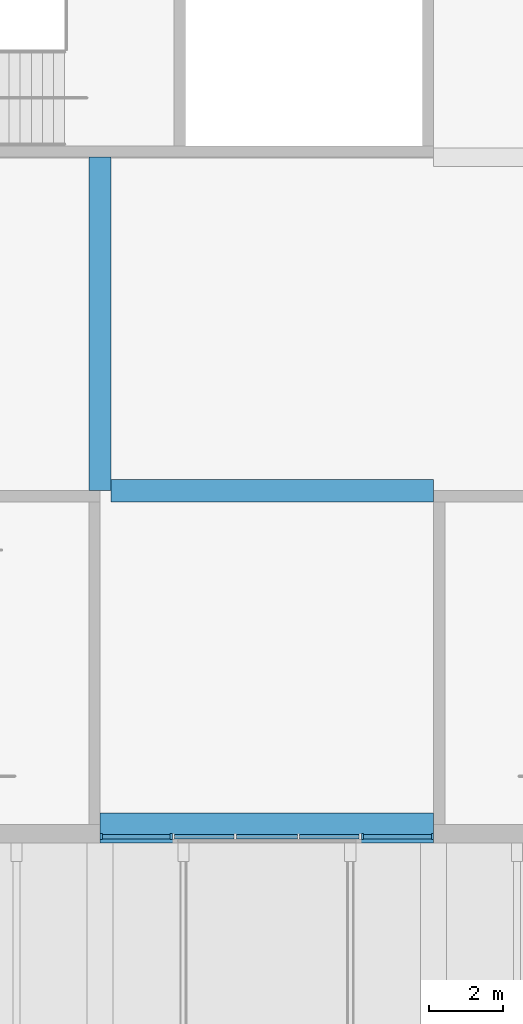
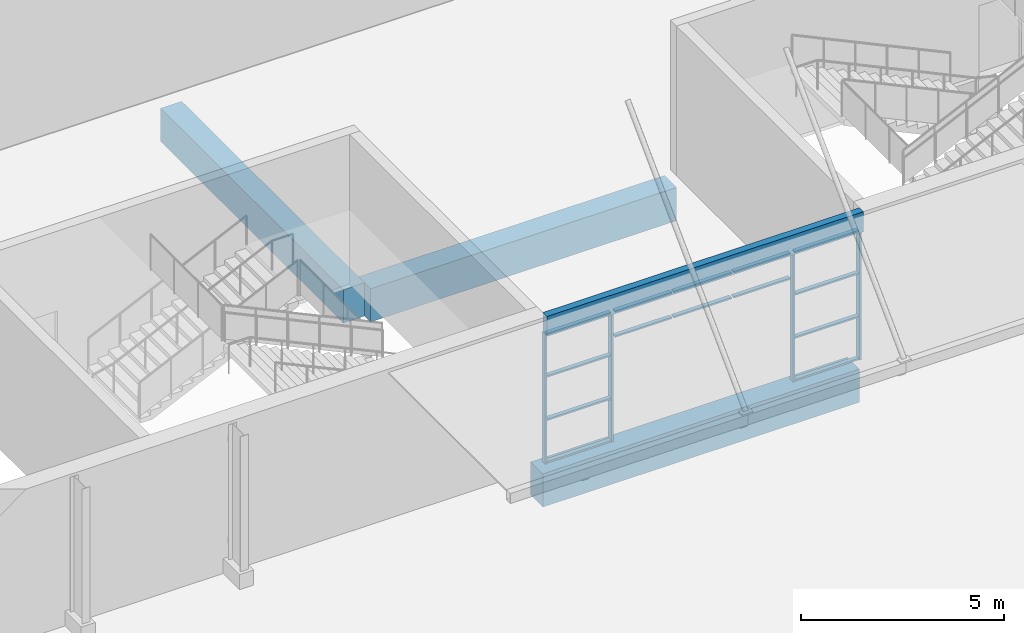
# One storey, part 47 of 168: 18 members, 4 beams, 3 elements without a shape of their own.
"""IFC4 building model written with IfcOpenShell, lengths in metres."""

from ifc_helpers import new_model, si_unit, direction, frame, origin, origin_2d, place, context, subcontext, project, spatial, rectangle, extrude, material, material_profile, profile_set, type_object, element, aggregate, save


model = new_model("IFC4")

# Units and contexts
model_context = context("Model", 3, precision=1e-05, world=origin(), true_north=direction((0.0, 1.0)))
body_context = subcontext(model_context, "Body", "Model", "MODEL_VIEW")
ifc_project = project(units=[si_unit("LENGTHUNIT", "METRE"), si_unit("AREAUNIT", "SQUARE_METRE"), si_unit("VOLUMEUNIT", "CUBIC_METRE"), si_unit("PLANEANGLEUNIT", "RADIAN"), si_unit("MASSUNIT", "GRAM", prefix="KILO")], contexts=[model_context])

# Site, building, storey
site_placement = place(None, origin())
site = spatial("IfcSite", under=ifc_project, at=site_placement, CompositionType="ELEMENT")
building_placement = place(site_placement, origin())
building = spatial("IfcBuilding", under=site, at=building_placement, Name="Silverbay Arena", CompositionType="ELEMENT")
storey_placement = place(building_placement, frame((0.0, 0.0, 7.0)))
storey = spatial("IfcBuildingStorey", under=building, at=storey_placement, Name="L01", CompositionType="ELEMENT", Elevation=7.0)

# Curtain wall, members
ifc_material_1 = material(Name="Aluminium framed curtain wall", Category="aluminium")
curtain_wall_type_1 = type_object("IfcCurtainWallType", Name="Curtain wall 1950 x 3900", PredefinedType="NOTDEFINED", material=ifc_material_1)
curtain_wall_1_placement = place(storey_placement, origin())
curtain_wall_1 = element("IfcCurtainWall", 1, at=curtain_wall_1_placement, inside=storey, type_object=curtain_wall_type_1, Name="South curtain wall L01 bay 18", PredefinedType="NOTDEFINED")
ifc_material_2 = material(Name="Aluminium", Category="aluminium")
ifc_material_profile_1 = material_profile(ifc_material_2, rectangle(XDim=0.159912109375, YDim=0.06005859375, at=origin_2d()), Name="Mullion 60 x 160")
ifc_profile_set_1 = profile_set([ifc_material_profile_1], Name="Aluminium")
member_type_1 = type_object("IfcMemberType", Name="Mullion 60 x 160", PredefinedType="MULLION", material=ifc_profile_set_1)
member_1_placement = place(storey_placement, frame((180.030029296875, 17.669921875, 0.0), z_axis=(0.0, 0.0, 1.0), x_axis=(0.0, 1.0, 0.0)))
member_1 = element("IfcMember", 2, at=member_1_placement, type_object=member_type_1, Name="CW2 mullion 1", PredefinedType="MULLION", context=body_context, shape_type="SweptSolid", body=[
    extrude(rectangle(XDim=0.159912109375, YDim=0.06005859375, at=origin_2d()), origin(), (0.0, 0.0, 1.0), 3.89990234375),
])
member_2_placement = place(storey_placement, frame((181.919921875, 17.669921875, 0.0), z_axis=(0.0, 0.0, 1.0), x_axis=(0.0, 1.0, 0.0)))
member_2 = element("IfcMember", 3, at=member_2_placement, type_object=member_type_1, Name="CW2 mullion 2", PredefinedType="MULLION", context=body_context, shape_type="SweptSolid", body=[
    extrude(rectangle(XDim=0.159912109375, YDim=0.06005859375, at=origin_2d()), origin(), (0.0, 0.0, 1.0), 3.89990234375),
])

curtain_wall_2_placement = place(storey_placement, origin())
curtain_wall_2 = element("IfcCurtainWall", 4, at=curtain_wall_2_placement, inside=storey, type_object=curtain_wall_type_1, Name="South curtain wall L01 bay 18", PredefinedType="NOTDEFINED")
member_3_placement = place(storey_placement, frame((187.080078125, 17.669921875, 0.0), z_axis=(0.0, 0.0, 1.0), x_axis=(0.0, 1.0, 0.0)))
member_3 = element("IfcMember", 5, at=member_3_placement, type_object=member_type_1, Name="CW2 mullion 1", PredefinedType="MULLION", context=body_context, shape_type="SweptSolid", body=[
    extrude(rectangle(XDim=0.159912109375, YDim=0.06005859375, at=origin_2d()), origin(), (0.0, 0.0, 1.0), 3.89990234375),
])
member_4_placement = place(storey_placement, frame((188.969970703125, 17.669921875, 0.0), z_axis=(0.0, 0.0, 1.0), x_axis=(0.0, 1.0, 0.0)))
member_4 = element("IfcMember", 6, at=member_4_placement, type_object=member_type_1, Name="CW2 mullion 2", PredefinedType="MULLION", context=body_context, shape_type="SweptSolid", body=[
    extrude(rectangle(XDim=0.159912109375, YDim=0.06005859375, at=origin_2d()), origin(), (0.0, 0.0, 1.0), 3.89990234375),
])

# Beams
ifc_material_3 = material(Name="Concrete Grade C45", Category="concrete")
ifc_material_profile_2 = material_profile(ifc_material_3, rectangle(XDim=0.60009765625, YDim=1.0, at=origin_2d()), Name="RC 600x1000")
ifc_profile_set_2 = profile_set([ifc_material_profile_2], Name="Concrete Grade C45")
beam_type_1 = type_object("IfcBeamType", Name="RC beam 600x1000", PredefinedType="BEAM", material=ifc_profile_set_2)
beam_1_placement = place(storey_placement, frame((180.0, 18.0, -0.85009765625), z_axis=(1.0, 0.0, 0.0), x_axis=(0.0, 1.0, 0.0)))
element("IfcBeam", 7, at=beam_1_placement, inside=storey, type_object=beam_type_1, Name="Floor beam L01 007", PredefinedType="BEAM", context=body_context, shape_type="SweptSolid", body=[
    extrude(rectangle(XDim=0.60009765625, YDim=1.0, at=origin_2d()), origin(), (0.0, 0.0, 1.0), 9.0),
])
beam_2_placement = place(storey_placement, frame((180.300048828125, 27.0, -0.85009765625), z_axis=(1.0, 0.0, 0.0), x_axis=(0.0, 1.0, 0.0)))
element("IfcBeam", 8, at=beam_2_placement, inside=storey, type_object=beam_type_1, Name="Floor beam L01 016", PredefinedType="BEAM", context=body_context, shape_type="SweptSolid", body=[
    extrude(rectangle(XDim=0.60009765625, YDim=1.0, at=origin_2d()), origin(), (0.0, 0.0, 1.0), 8.699951171875),
])
beam_3_placement = place(storey_placement, frame((180.0, 27.0, -0.85009765625), z_axis=(0.0, 1.0, 0.0), x_axis=(-1.0, 0.0, 0.0)))
element("IfcBeam", 9, at=beam_3_placement, inside=storey, type_object=beam_type_1, Name="Floor beam L01 309", PredefinedType="BEAM", context=body_context, shape_type="SweptSolid", body=[
    extrude(rectangle(XDim=0.60009765625, YDim=1.0, at=origin_2d()), origin(), (0.0, 0.0, 1.0), 9.0),
])
ifc_material_4 = material(Name="Concrete Grade C45", Category="concrete")
ifc_material_profile_3 = material_profile(ifc_material_4, rectangle(XDim=0.199951171875, YDim=0.60009765625, at=origin_2d()), Name="RC 200x600")
ifc_profile_set_3 = profile_set([ifc_material_profile_3], Name="Concrete Grade C45")
beam_type_2 = type_object("IfcBeamType", Name="RC facade beam 200x600", PredefinedType="SPANDREL", material=ifc_profile_set_3)
beam_4_placement = place(storey_placement, frame((180.0, 17.60009765625, 4.199951171875), z_axis=(1.0, 0.0, 0.0), x_axis=(0.0, 1.0, 0.0)))
element("IfcBeam", 10, at=beam_4_placement, inside=storey, type_object=beam_type_2, Name="Facade beam L01 south", PredefinedType="SPANDREL", context=body_context, shape_type="SweptSolid", body=[
    extrude(rectangle(XDim=0.199951171875, YDim=0.60009765625, at=origin_2d()), origin(), (0.0, 0.0, 1.0), 9.0),
])

# Member
ifc_material_5 = material(Name="Aluminium", Category="aluminium")
ifc_material_profile_4 = material_profile(ifc_material_5, rectangle(XDim=0.1201171875, YDim=0.050048828125, at=origin_2d()), Name="Transom 50 x 120")
ifc_profile_set_4 = profile_set([ifc_material_profile_4], Name="Aluminium")
member_type_2 = type_object("IfcMemberType", Name="Transom 50 x 120", PredefinedType="USERDEFINED", material=ifc_profile_set_4)
member_5_placement = place(storey_placement, frame((180.06005859375, 17.669921875, 0.02490234375), z_axis=(1.0, 0.0, 0.0), x_axis=(0.0, 1.0, 0.0)))
member_5 = element("IfcMember", 11, at=member_5_placement, type_object=member_type_2, Name="CW2 transom 1.1", ObjectType="TRANSOM", PredefinedType="USERDEFINED", context=body_context, shape_type="SweptSolid", body=[
    extrude(rectangle(XDim=0.1201171875, YDim=0.050048828125, at=origin_2d()), origin(), (0.0, 0.0, 1.0), 1.829833984375),
])

member_6_placement = place(storey_placement, frame((180.06005859375, 17.669921875, 1.300048828125), z_axis=(1.0, 0.0, 0.0), x_axis=(0.0, 1.0, 0.0)))
member_6 = element("IfcMember", 12, at=member_6_placement, type_object=member_type_2, Name="CW2 transom 1.2", ObjectType="TRANSOM", PredefinedType="USERDEFINED", context=body_context, shape_type="SweptSolid", body=[
    extrude(rectangle(XDim=0.1201171875, YDim=0.050048828125, at=origin_2d()), origin(), (0.0, 0.0, 1.0), 1.829833984375),
])

member_7_placement = place(storey_placement, frame((180.06005859375, 17.669921875, 2.60009765625), z_axis=(1.0, 0.0, 0.0), x_axis=(0.0, 1.0, 0.0)))
member_7 = element("IfcMember", 13, at=member_7_placement, type_object=member_type_2, Name="CW2 transom 1.3", ObjectType="TRANSOM", PredefinedType="USERDEFINED", context=body_context, shape_type="SweptSolid", body=[
    extrude(rectangle(XDim=0.1201171875, YDim=0.050048828125, at=origin_2d()), origin(), (0.0, 0.0, 1.0), 1.829833984375),
])

member_8_placement = place(storey_placement, frame((180.06005859375, 17.669921875, 3.875), z_axis=(1.0, 0.0, 0.0), x_axis=(0.0, 1.0, 0.0)))
member_8 = element("IfcMember", 14, at=member_8_placement, type_object=member_type_2, Name="CW2 transom 1.4", ObjectType="TRANSOM", PredefinedType="USERDEFINED", context=body_context, shape_type="SweptSolid", body=[
    extrude(rectangle(XDim=0.1201171875, YDim=0.050048828125, at=origin_2d()), origin(), (0.0, 0.0, 1.0), 1.829833984375),
])

aggregate(curtain_wall_1, [member_1, member_2, member_5, member_6, member_7, member_8])

member_9_placement = place(storey_placement, frame((187.110107421875, 17.669921875, 0.02490234375), z_axis=(1.0, 0.0, 0.0), x_axis=(0.0, 1.0, 0.0)))
member_9 = element("IfcMember", 15, at=member_9_placement, type_object=member_type_2, Name="CW2 transom 1.1", ObjectType="TRANSOM", PredefinedType="USERDEFINED", context=body_context, shape_type="SweptSolid", body=[
    extrude(rectangle(XDim=0.1201171875, YDim=0.050048828125, at=origin_2d()), origin(), (0.0, 0.0, 1.0), 1.829833984375),
])

member_10_placement = place(storey_placement, frame((187.110107421875, 17.669921875, 1.300048828125), z_axis=(1.0, 0.0, 0.0), x_axis=(0.0, 1.0, 0.0)))
member_10 = element("IfcMember", 16, at=member_10_placement, type_object=member_type_2, Name="CW2 transom 1.2", ObjectType="TRANSOM", PredefinedType="USERDEFINED", context=body_context, shape_type="SweptSolid", body=[
    extrude(rectangle(XDim=0.1201171875, YDim=0.050048828125, at=origin_2d()), origin(), (0.0, 0.0, 1.0), 1.829833984375),
])

member_11_placement = place(storey_placement, frame((187.110107421875, 17.669921875, 2.60009765625), z_axis=(1.0, 0.0, 0.0), x_axis=(0.0, 1.0, 0.0)))
member_11 = element("IfcMember", 17, at=member_11_placement, type_object=member_type_2, Name="CW2 transom 1.3", ObjectType="TRANSOM", PredefinedType="USERDEFINED", context=body_context, shape_type="SweptSolid", body=[
    extrude(rectangle(XDim=0.1201171875, YDim=0.050048828125, at=origin_2d()), origin(), (0.0, 0.0, 1.0), 1.829833984375),
])

member_12_placement = place(storey_placement, frame((187.110107421875, 17.669921875, 3.875), z_axis=(1.0, 0.0, 0.0), x_axis=(0.0, 1.0, 0.0)))
member_12 = element("IfcMember", 18, at=member_12_placement, type_object=member_type_2, Name="CW2 transom 1.4", ObjectType="TRANSOM", PredefinedType="USERDEFINED", context=body_context, shape_type="SweptSolid", body=[
    extrude(rectangle(XDim=0.1201171875, YDim=0.050048828125, at=origin_2d()), origin(), (0.0, 0.0, 1.0), 1.829833984375),
])

aggregate(curtain_wall_2, [member_3, member_4, member_9, member_10, member_11, member_12])

# Curtain wall, members
ifc_material_6 = material(Name="Aluminium framed curtain wall", Category="aluminium")
curtain_wall_type_2 = type_object("IfcCurtainWallType", Name="Curtain wall 5100 x 800", PredefinedType="NOTDEFINED", material=ifc_material_6)
curtain_wall_3_placement = place(storey_placement, origin())
curtain_wall_3 = element("IfcCurtainWall", 19, at=curtain_wall_3_placement, inside=storey, type_object=curtain_wall_type_2, Name="South curtain wall L01 bay 18", PredefinedType="NOTDEFINED")
member_13_placement = place(storey_placement, frame((182.010009765625, 17.669921875, 3.125), z_axis=(1.0, 0.0, 0.0), x_axis=(0.0, 1.0, 0.0)))
member_13 = element("IfcMember", 20, at=member_13_placement, type_object=member_type_2, Name="CW3 transom 1.1", ObjectType="TRANSOM", PredefinedType="USERDEFINED", context=body_context, shape_type="SweptSolid", body=[
    extrude(rectangle(XDim=0.1201171875, YDim=0.050048828125, at=origin_2d()), origin(), (0.0, 0.0, 1.0), 1.610107421875),
])
member_14_placement = place(storey_placement, frame((182.010009765625, 17.669921875, 3.875), z_axis=(1.0, 0.0, 0.0), x_axis=(0.0, 1.0, 0.0)))
member_14 = element("IfcMember", 21, at=member_14_placement, type_object=member_type_2, Name="CW3 transom 1.2", ObjectType="TRANSOM", PredefinedType="USERDEFINED", context=body_context, shape_type="SweptSolid", body=[
    extrude(rectangle(XDim=0.1201171875, YDim=0.050048828125, at=origin_2d()), origin(), (0.0, 0.0, 1.0), 1.610107421875),
])
member_15_placement = place(storey_placement, frame((183.679931640625, 17.669921875, 3.125), z_axis=(1.0, 0.0, 0.0), x_axis=(0.0, 1.0, 0.0)))
member_15 = element("IfcMember", 22, at=member_15_placement, type_object=member_type_2, Name="CW3 transom 2.1", ObjectType="TRANSOM", PredefinedType="USERDEFINED", context=body_context, shape_type="SweptSolid", body=[
    extrude(rectangle(XDim=0.1201171875, YDim=0.050048828125, at=origin_2d()), origin(), (0.0, 0.0, 1.0), 1.64013671875),
])
member_16_placement = place(storey_placement, frame((183.679931640625, 17.669921875, 3.875), z_axis=(1.0, 0.0, 0.0), x_axis=(0.0, 1.0, 0.0)))
member_16 = element("IfcMember", 23, at=member_16_placement, type_object=member_type_2, Name="CW3 transom 2.2", ObjectType="TRANSOM", PredefinedType="USERDEFINED", context=body_context, shape_type="SweptSolid", body=[
    extrude(rectangle(XDim=0.1201171875, YDim=0.050048828125, at=origin_2d()), origin(), (0.0, 0.0, 1.0), 1.64013671875),
])
member_17_placement = place(storey_placement, frame((185.3798828125, 17.669921875, 3.125), z_axis=(1.0, 0.0, 0.0), x_axis=(0.0, 1.0, 0.0)))
member_17 = element("IfcMember", 24, at=member_17_placement, type_object=member_type_2, Name="CW3 transom 3.1", ObjectType="TRANSOM", PredefinedType="USERDEFINED", context=body_context, shape_type="SweptSolid", body=[
    extrude(rectangle(XDim=0.1201171875, YDim=0.050048828125, at=origin_2d()), origin(), (0.0, 0.0, 1.0), 1.610107421875),
])
member_18_placement = place(storey_placement, frame((185.3798828125, 17.669921875, 3.875), z_axis=(1.0, 0.0, 0.0), x_axis=(0.0, 1.0, 0.0)))
member_18 = element("IfcMember", 25, at=member_18_placement, type_object=member_type_2, Name="CW3 transom 3.2", ObjectType="TRANSOM", PredefinedType="USERDEFINED", context=body_context, shape_type="SweptSolid", body=[
    extrude(rectangle(XDim=0.1201171875, YDim=0.050048828125, at=origin_2d()), origin(), (0.0, 0.0, 1.0), 1.610107421875),
])
aggregate(curtain_wall_3, [member_13, member_14, member_15, member_16, member_17, member_18])

save(model, "model.ifc")
